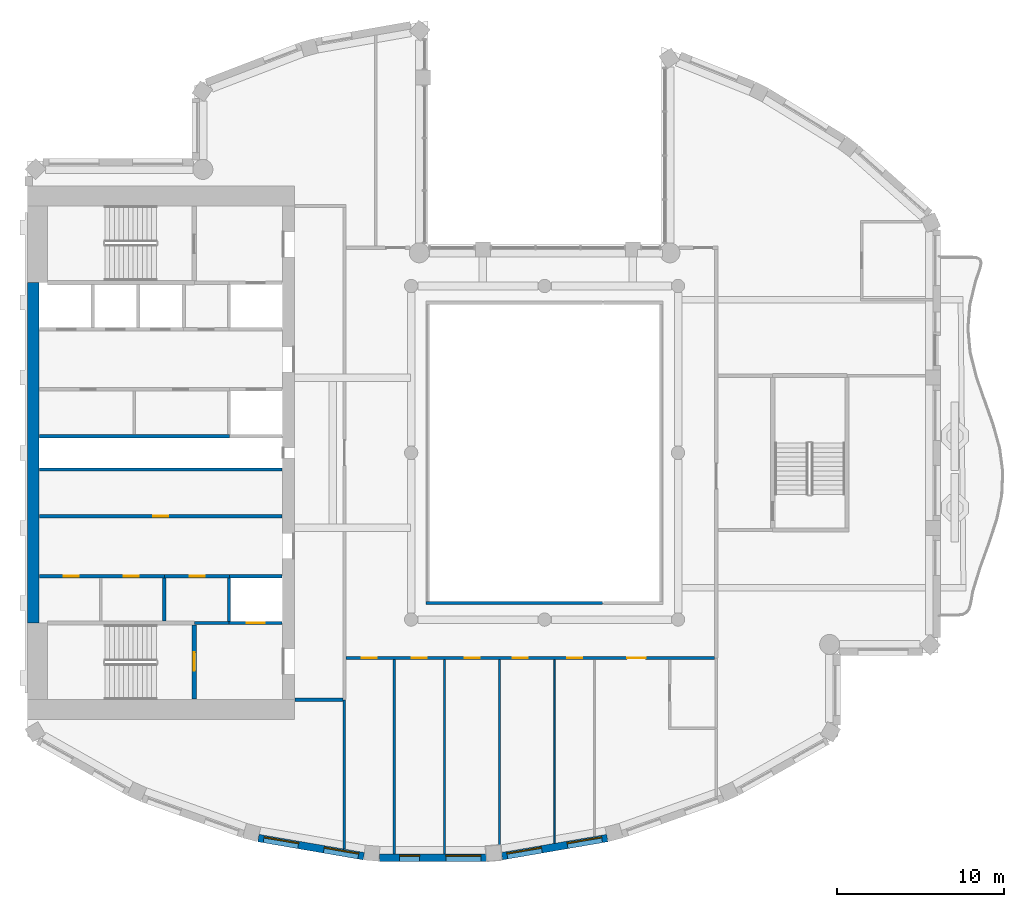
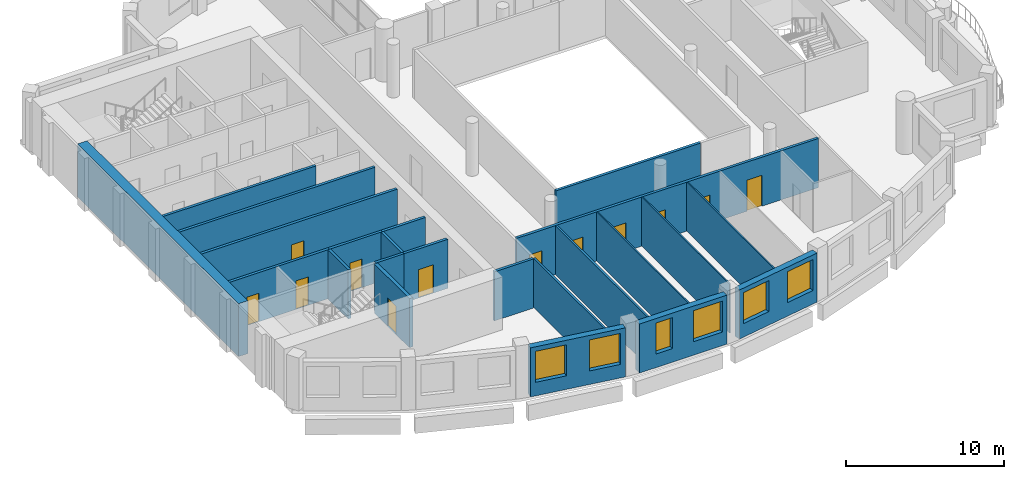
# One storey, part 5 of 15: 23 walls, 12 doors, 6 windows, 18 openings.
"""IFC4 building model written with IfcOpenShell, lengths in metres."""

import ifcopenshell
import ifcopenshell.guid

model = None  # the IFC model being written
_history = None  # IfcOwnerHistory: only IFC2X3 demands one
_inside = {}  # id of a spatial element -> (the spatial element, [elements in it])
_under = {}  # id of a project, library or spatial element -> (it, [spatial elements below it])
_declared = {}  # id of a project -> (the project, [libraries it declares])
_typed = {}  # id of a type object -> (the type object, [elements of that type])
_made_of = {}  # id of a material, layer set ... -> (it, [elements and type objects made of it])


def new_model(schema):
    """Start an empty IFC model of exactly this schema.

    Asked for "IFC4X3", IfcOpenShell would pick the latest addendum, in which some entities
    have other attributes; the version numbers below select the first issue.
    IFC2X3 requires an IfcOwnerHistory on every rooted entity: one is made here for all.
    """
    global model, _history
    if schema == "IFC4X3":
        model = ifcopenshell.file(schema_version=(4, 3, 0, 0))
    else:
        model = ifcopenshell.file(schema=schema)
    _inside.clear()
    _under.clear()
    _declared.clear()
    _typed.clear()
    _made_of.clear()
    _history = None
    if model.schema == "IFC2X3":
        org = make("IfcOrganization", Name="unknown")
        user = make(
            "IfcPersonAndOrganization",
            ThePerson=make("IfcPerson", FamilyName="unknown"),
            TheOrganization=org,
        )
        app = make(
            "IfcApplication",
            ApplicationDeveloper=org,
            Version="unknown",
            ApplicationFullName="unknown",
            ApplicationIdentifier="unknown",
        )
        _history = make(
            "IfcOwnerHistory",
            OwningUser=user,
            OwningApplication=app,
            ChangeAction="ADDED",
            CreationDate=0,
        )
    return model


def make(cls, **values):
    """One entity of the class cls with the attributes given. An attribute that is None is left unset."""
    return model.create_entity(
        cls, **{name: value for name, value in values.items() if value is not None}
    )


def rooted(cls, **values):
    """An entity with a GlobalId (a new one), such as an element, a storey or a relation."""
    return make(cls, GlobalId=ifcopenshell.guid.new(), OwnerHistory=_history, **values)


def si_unit(unit_type, name, prefix=None):
    """IfcSIUnit, for example si_unit("LENGTHUNIT", "METRE", prefix="MILLI")."""
    return make("IfcSIUnit", UnitType=unit_type, Prefix=prefix, Name=name)


def assignment(units):
    """IfcUnitAssignment: the units of a project."""
    return None if units is None else make("IfcUnitAssignment", Units=units)


def point(xyz):
    """IfcCartesianPoint."""
    return None if xyz is None else make("IfcCartesianPoint", Coordinates=xyz)


def direction(xyz):
    """IfcDirection."""
    return None if xyz is None else make("IfcDirection", DirectionRatios=xyz)


def frame(location, z_axis=None, x_axis=None):
    """IfcAxis2Placement3D, a coordinate frame: its origin and axes. An axis left out is left unset."""
    return make(
        "IfcAxis2Placement3D",
        Location=point(location),
        Axis=direction(z_axis),
        RefDirection=direction(x_axis),
    )


def frame_2d(location, x_axis=None):
    """IfcAxis2Placement2D, a coordinate frame in the plane: its origin and x axis."""
    return make(
        "IfcAxis2Placement2D", Location=point(location), RefDirection=direction(x_axis)
    )


def origin():
    """The frame at (0, 0, 0) with its axes left unset."""
    return frame((0.0, 0.0, 0.0))


def place(relative_to, where):
    """IfcLocalPlacement: puts the frame where relative to a parent placement (None: the world)."""
    return make(
        "IfcLocalPlacement", PlacementRelTo=relative_to, RelativePlacement=where
    )


def context(
    kind, dimensions, precision=None, world=None, true_north=None, identifier=None
):
    """IfcGeometricRepresentationContext, for example the 3D "Model" context."""
    return make(
        "IfcGeometricRepresentationContext",
        ContextIdentifier=identifier,
        ContextType=kind,
        CoordinateSpaceDimension=dimensions,
        Precision=precision,
        WorldCoordinateSystem=world,
        TrueNorth=true_north,
    )


def subcontext(parent, identifier, kind, view, scale=None):
    """IfcGeometricRepresentationSubContext, for example "Body" below "Model"."""
    return make(
        "IfcGeometricRepresentationSubContext",
        ContextIdentifier=identifier,
        ContextType=kind,
        ParentContext=parent,
        TargetScale=scale,
        TargetView=view,
    )


def project(units=None, contexts=None):
    """IfcProject with its units and contexts."""
    return rooted(
        "IfcProject",
        Name="project",
        RepresentationContexts=contexts,
        UnitsInContext=assignment(units),
    )


def spatial(cls, under=None, at=None, **own):
    """A site, building, storey or space (cls), placed at a placement, below another one or the project."""
    s = rooted(cls, ObjectPlacement=at, **own)
    if under is not None:
        _under.setdefault(under.id(), (under, []))[1].append(s)
    return s


def profile(cls, at=None, kind="AREA", **sizes):
    """A parametric profile (cls). Its sizes go by their IFC names, for example OverallWidth=200.0."""
    return make(cls, ProfileType=kind, Position=at, **sizes)


def rectangle(**sizes):
    """IfcRectangleProfileDef."""
    return profile("IfcRectangleProfileDef", **sizes)


def extrude(swept, where, along, depth):
    """IfcExtrudedAreaSolid: the profile swept, set in the frame where, extruded along a direction by depth."""
    return make(
        "IfcExtrudedAreaSolid",
        SweptArea=swept,
        Position=where,
        ExtrudedDirection=direction(along),
        Depth=depth,
    )


def shape(context_of_items, identifier, shape_type, items):
    """IfcShapeRepresentation: the items that make up one representation, for example the "Body"."""
    return make(
        "IfcShapeRepresentation",
        ContextOfItems=context_of_items,
        RepresentationIdentifier=identifier,
        RepresentationType=shape_type,
        Items=items,
    )


def material(Name=None, Category=None):
    """IfcMaterial."""
    return make("IfcMaterial", Name=Name, Category=Category)


def layer(
    of_material, thickness, ventilated=None, Name=None, Category=None, Priority=None
):
    """IfcMaterialLayer: one layer of a wall or slab, of a material (None: an air gap)."""
    return make(
        "IfcMaterialLayer",
        Material=of_material,
        LayerThickness=thickness,
        IsVentilated=ventilated,
        Name=Name,
        Category=Category,
        Priority=Priority,
    )


def layer_set(layers, Name=None):
    """IfcMaterialLayerSet."""
    return make("IfcMaterialLayerSet", MaterialLayers=layers, LayerSetName=Name)


def made_of(thing, what):
    """Note that an element or type object is made of a material, layer set ...; save() writes the relation."""
    if what is not None:
        _made_of.setdefault(what.id(), (what, []))[1].append(thing)
    return thing


def type_object(cls, material=None, **own):
    """A type object (cls), such as IfcWallType, which elements share."""
    return made_of(rooted(cls, **own), material)


def element(
    cls,
    number,
    at=None,
    inside=None,
    cuts=None,
    type_object=None,
    material=None,
    context=None,
    identifier="Body",
    shape_type=None,
    held_by="IfcProductDefinitionShape",
    body=None,
    shapes=None,
    **own,
):
    """One element of the class cls, such as IfcWall. Its Tag is "e" and its number.

    at: its placement. inside: the storey or other place that contains it. cuts: it is an
    opening in that element (IfcRelVoidsElement). A single representation is given by context,
    identifier, shape_type and body (its items); several are given by shapes. held_by: the class
    of the entity that holds the representations. save() writes the other relations.
    """
    e = rooted(cls, Tag="e%d" % number, ObjectPlacement=at, **own)
    if body is not None:
        shapes = [shape(context, identifier, shape_type, body)]
    if shapes is not None:
        e.Representation = make(held_by, Representations=shapes)
    if inside is not None:
        _inside.setdefault(inside.id(), (inside, []))[1].append(e)
    if cuts is not None:
        rooted(
            "IfcRelVoidsElement", RelatingBuildingElement=cuts, RelatedOpeningElement=e
        )
    if type_object is not None:
        _typed.setdefault(type_object.id(), (type_object, []))[1].append(e)
    return made_of(e, material)


def fill(opening, filler):
    """IfcRelFillsElement: the door or window that sits in an opening."""
    return rooted(
        "IfcRelFillsElement",
        RelatingOpeningElement=opening,
        RelatedBuildingElement=filler,
    )


def aggregate(whole, parts):
    """IfcRelAggregates: a whole, such as a stair, and the parts it consists of."""
    return rooted("IfcRelAggregates", RelatingObject=whole, RelatedObjects=parts)


def save(model, path):
    """Write the relations noted so far, then the file.

    IfcRelAggregates (storeys below a building ...), IfcRelContainedInSpatialStructure (elements
    in a storey), IfcRelDefinesByType, IfcRelAssociatesMaterial and IfcRelDeclares: one each for
    every whole, place, type object, material and project.
    """
    for whole, parts in _under.values():
        aggregate(whole, parts)
    for where, things in _inside.values():
        rooted(
            "IfcRelContainedInSpatialStructure",
            RelatedElements=things,
            RelatingStructure=where,
        )
    for kind, things in _typed.values():
        rooted("IfcRelDefinesByType", RelatedObjects=things, RelatingType=kind)
    for what, things in _made_of.values():
        rooted("IfcRelAssociatesMaterial", RelatedObjects=things, RelatingMaterial=what)
    for by, libraries in _declared.values():
        rooted("IfcRelDeclares", RelatingContext=by, RelatedDefinitions=libraries)
    model.write(path)


model = new_model("IFC4")

# Units and contexts
model_context = context("Model", 3, precision=1e-05, world=origin(), true_north=direction((0.0, 1.0)))
body_context = subcontext(model_context, "Body", "Model", "MODEL_VIEW")
ifc_project = project(units=[si_unit("LENGTHUNIT", "METRE"), si_unit("AREAUNIT", "SQUARE_METRE"), si_unit("VOLUMEUNIT", "CUBIC_METRE"), si_unit("PLANEANGLEUNIT", "RADIAN"), si_unit("MASSUNIT", "GRAM", prefix="KILO")], contexts=[model_context])

# Site, building, storey
site_placement = place(None, origin())
site = spatial("IfcSite", under=ifc_project, at=site_placement, CompositionType="ELEMENT")
building_placement = place(site_placement, origin())
building = spatial("IfcBuilding", under=site, at=building_placement, Name="Cypress Arch Tower", CompositionType="ELEMENT")
storey_placement = place(building_placement, frame((0.0, 0.0, 309.0)))
storey = spatial("IfcBuildingStorey", under=building, at=storey_placement, Name="L70", CompositionType="ELEMENT", Elevation=309.0)

# Wall, openings, windows
ifc_material_1 = material(Name="Brick (red buff blend)", Category="masonry")
ifc_layer_1 = layer(ifc_material_1, 0.449951171875)
ifc_layer_set_1 = layer_set([ifc_layer_1], Name="Brick pier and spandrel wall BW450")
wall_type_1 = type_object("IfcWallType", Name="Brick pier and spandrel wall BW450", PredefinedType="SOLIDWALL", material=ifc_layer_set_1)
wall_1_placement = place(storey_placement, frame((-16.15673828125, -23.09716796875, 0.0), z_axis=(0.0, 0.0, 1.0), x_axis=(0.985502073964, -0.169663379113, 0.0)))
wall_1 = element("IfcWall", 1, at=wall_1_placement, inside=storey, type_object=wall_type_1, Name="Brick wall L70 C10.0", PredefinedType="SOLIDWALL", context=body_context, shape_type="SweptSolid", body=[
    extrude(rectangle(XDim=6.412109375, YDim=0.449951171875, at=frame_2d((3.2060546875, 0.0))), origin(), (0.0, 0.0, 1.0), 3.800048828125),
])
opening_1_placement = place(wall_1_placement, frame((0.3271484375, 0.0, 1.050048828125)))
opening_1 = element("IfcOpeningElement", 2, at=opening_1_placement, cuts=wall_1, Name="Opening W210O", PredefinedType="OPENING", context=body_context, shape_type="SweptSolid", body=[
    extrude(rectangle(XDim=2.10009765625, YDim=2.39990234375, at=frame_2d((1.050048828125, 1.199951171875))), frame((0.0, 0.23486328125, 0.0), z_axis=(0.0, -1.0, 0.0), x_axis=(1.0, 0.0, 0.0)), (0.0, 0.0, 1.0), 0.469970703125),
])
opening_2_placement = place(wall_1_placement, frame((3.98486328125, 0.0, 1.050048828125)))
opening_2 = element("IfcOpeningElement", 3, at=opening_2_placement, cuts=wall_1, Name="Opening W210O", PredefinedType="OPENING", context=body_context, shape_type="SweptSolid", body=[
    extrude(rectangle(XDim=2.10009765625, YDim=2.39990234375, at=frame_2d((1.050048828125, 1.199951171875))), frame((0.0, 0.23486328125, 0.0), z_axis=(0.0, -1.0, 0.0), x_axis=(1.0, 0.0, 0.0)), (0.0, 0.0, 1.0), 0.469970703125),
])
ifc_material_2 = material(Name="Anodised aluminium, bronze finish, clear low-emissivity double glazing", Category="aluminium")
window_type_1 = type_object("IfcWindowType", Name="Window Office 2100x2400", PartitioningType="SINGLE_PANEL", PredefinedType="WINDOW", material=ifc_material_2)
window_1_placement = place(opening_1_placement, origin())
window_1 = element("IfcWindow", 4, at=window_1_placement, inside=storey, type_object=window_type_1, Name="Window L70 C10.0.1", OverallHeight=2.39990234375, OverallWidth=2.10009765625, PartitioningType="SINGLE_PANEL", PredefinedType="WINDOW", context=body_context, shape_type="SweptSolid", body=[
    extrude(rectangle(XDim=2.10009765625, YDim=2.39990234375, at=frame_2d((1.050048828125, 1.199951171875))), frame((0.0, 0.135009765625, 0.0), z_axis=(0.0, -1.0, 0.0), x_axis=(1.0, 0.0, 0.0)), (0.0, 0.0, 1.0), 0.06005859375),
])
fill(opening_1, window_1)
window_2_placement = place(opening_2_placement, origin())
window_2 = element("IfcWindow", 5, at=window_2_placement, inside=storey, type_object=window_type_1, Name="Window L70 C10.0.2", OverallHeight=2.39990234375, OverallWidth=2.10009765625, PartitioningType="SINGLE_PANEL", PredefinedType="WINDOW", context=body_context, shape_type="SweptSolid", body=[
    extrude(rectangle(XDim=2.10009765625, YDim=2.39990234375, at=frame_2d((1.050048828125, 1.199951171875))), frame((0.0, 0.135009765625, 0.0), z_axis=(0.0, -1.0, 0.0), x_axis=(1.0, 0.0, 0.0)), (0.0, 0.0, 1.0), 0.06005859375),
])
fill(opening_2, window_2)

wall_2_placement = place(storey_placement, frame((-8.90283203125, -24.264892578125, 0.0), z_axis=(0.0, 0.0, 1.0), x_axis=(1.0, 0.0, 0.0)))
wall_2 = element("IfcWall", 6, at=wall_2_placement, inside=storey, type_object=wall_type_1, Name="Brick wall L70 C11.0", PredefinedType="SOLIDWALL", context=body_context, shape_type="SweptSolid", body=[
    extrude(rectangle(XDim=6.405517578125, YDim=0.449951171875, at=frame_2d((3.20263671875, 0.0))), origin(), (0.0, 0.0, 1.0), 3.800048828125),
])
opening_3_placement = place(wall_2_placement, frame((3.97998046875, 0.0, 1.050048828125)))
opening_3 = element("IfcOpeningElement", 7, at=opening_3_placement, cuts=wall_2, Name="Opening W210O", PredefinedType="OPENING", context=body_context, shape_type="SweptSolid", body=[
    extrude(rectangle(XDim=2.10009765625, YDim=2.39990234375, at=frame_2d((1.050048828125, 1.199951171875))), frame((0.0, 0.23486328125, 0.0), z_axis=(0.0, -1.0, 0.0), x_axis=(1.0, 0.0, 0.0)), (0.0, 0.0, 1.0), 0.469970703125),
])
opening_4_placement = place(wall_2_placement, frame((1.214111328125, 0.0, 1.050048828125)))
opening_4 = element("IfcOpeningElement", 8, at=opening_4_placement, cuts=wall_2, Name="Opening W120O", PredefinedType="OPENING", context=body_context, shape_type="SweptSolid", body=[
    extrude(rectangle(XDim=1.199951171875, YDim=2.39990234375, at=frame_2d((0.60009765625, 1.199951171875))), frame((0.0, 0.23486328125, 0.0), z_axis=(0.0, -1.0, 0.0), x_axis=(1.0, 0.0, 0.0)), (0.0, 0.0, 1.0), 0.469970703125),
])
ifc_material_3 = material(Name="Anodised aluminium, bronze finish, clear low-emissivity double glazing", Category="aluminium")
window_type_2 = type_object("IfcWindowType", Name="Window Office 1200x2400", PartitioningType="SINGLE_PANEL", PredefinedType="WINDOW", material=ifc_material_3)
window_3_placement = place(opening_4_placement, origin())
window_3 = element("IfcWindow", 9, at=window_3_placement, inside=storey, type_object=window_type_2, Name="Window L70 C11.0.1", OverallHeight=2.39990234375, OverallWidth=1.199951171875, PartitioningType="SINGLE_PANEL", PredefinedType="WINDOW", context=body_context, shape_type="SweptSolid", body=[
    extrude(rectangle(XDim=1.199951171875, YDim=2.39990234375, at=frame_2d((0.60009765625, 1.199951171875))), frame((0.0, 0.135009765625, 0.0), z_axis=(0.0, -1.0, 0.0), x_axis=(1.0, 0.0, 0.0)), (0.0, 0.0, 1.0), 0.06005859375),
])
fill(opening_4, window_3)
window_4_placement = place(opening_3_placement, origin())
window_4 = element("IfcWindow", 10, at=window_4_placement, inside=storey, type_object=window_type_1, Name="Window L70 C11.0.2", OverallHeight=2.39990234375, OverallWidth=2.10009765625, PartitioningType="SINGLE_PANEL", PredefinedType="WINDOW", context=body_context, shape_type="SweptSolid", body=[
    extrude(rectangle(XDim=2.10009765625, YDim=2.39990234375, at=frame_2d((1.050048828125, 1.199951171875))), frame((0.0, 0.135009765625, 0.0), z_axis=(0.0, -1.0, 0.0), x_axis=(1.0, 0.0, 0.0)), (0.0, 0.0, 1.0), 0.06005859375),
])
fill(opening_3, window_4)

wall_3_placement = place(storey_placement, frame((-1.562255859375, -24.18505859375, 0.0), z_axis=(0.0, 0.0, 1.0), x_axis=(0.985502073964, 0.169663379113, 0.0)))
wall_3 = element("IfcWall", 11, at=wall_3_placement, inside=storey, type_object=wall_type_1, Name="Brick wall L70 C12.0", PredefinedType="SOLIDWALL", context=body_context, shape_type="SweptSolid", body=[
    extrude(rectangle(XDim=6.412109375, YDim=0.449951171875, at=frame_2d((3.2060546875, 0.0))), origin(), (0.0, 0.0, 1.0), 3.800048828125),
])
opening_5_placement = place(wall_3_placement, frame((0.3271484375, 0.0, 1.050048828125)))
opening_5 = element("IfcOpeningElement", 12, at=opening_5_placement, cuts=wall_3, Name="Opening W210O", PredefinedType="OPENING", context=body_context, shape_type="SweptSolid", body=[
    extrude(rectangle(XDim=2.10009765625, YDim=2.39990234375, at=frame_2d((1.050048828125, 1.199951171875))), frame((0.0, 0.23486328125, 0.0), z_axis=(0.0, -1.0, 0.0), x_axis=(1.0, 0.0, 0.0)), (0.0, 0.0, 1.0), 0.469970703125),
])
opening_6_placement = place(wall_3_placement, frame((3.98486328125, 0.0, 1.050048828125)))
opening_6 = element("IfcOpeningElement", 13, at=opening_6_placement, cuts=wall_3, Name="Opening W210O", PredefinedType="OPENING", context=body_context, shape_type="SweptSolid", body=[
    extrude(rectangle(XDim=2.10009765625, YDim=2.39990234375, at=frame_2d((1.050048828125, 1.199951171875))), frame((0.0, 0.23486328125, 0.0), z_axis=(0.0, -1.0, 0.0), x_axis=(1.0, 0.0, 0.0)), (0.0, 0.0, 1.0), 0.469970703125),
])
window_5_placement = place(opening_5_placement, origin())
window_5 = element("IfcWindow", 14, at=window_5_placement, inside=storey, type_object=window_type_1, Name="Window L70 C12.0.1", OverallHeight=2.39990234375, OverallWidth=2.10009765625, PartitioningType="SINGLE_PANEL", PredefinedType="WINDOW", context=body_context, shape_type="SweptSolid", body=[
    extrude(rectangle(XDim=2.10009765625, YDim=2.39990234375, at=frame_2d((1.050048828125, 1.199951171875))), frame((0.0, 0.135009765625, 0.0), z_axis=(0.0, -1.0, 0.0), x_axis=(1.0, 0.0, 0.0)), (0.0, 0.0, 1.0), 0.06005859375),
])
fill(opening_5, window_5)
window_6_placement = place(opening_6_placement, origin())
window_6 = element("IfcWindow", 15, at=window_6_placement, inside=storey, type_object=window_type_1, Name="Window L70 C12.0.2", OverallHeight=2.39990234375, OverallWidth=2.10009765625, PartitioningType="SINGLE_PANEL", PredefinedType="WINDOW", context=body_context, shape_type="SweptSolid", body=[
    extrude(rectangle(XDim=2.10009765625, YDim=2.39990234375, at=frame_2d((1.050048828125, 1.199951171875))), frame((0.0, 0.135009765625, 0.0), z_axis=(0.0, -1.0, 0.0), x_axis=(1.0, 0.0, 0.0)), (0.0, 0.0, 1.0), 0.06005859375),
])
fill(opening_6, window_6)

# Wall
ifc_material_4 = material(Name="Concrete C60/75", Category="concrete")
ifc_layer_2 = layer(ifc_material_4, 0.699951171875)
ifc_layer_set_2 = layer_set([ifc_layer_2], Name="Core wall CW700 C60/75")
wall_type_2 = type_object("IfcWallType", Name="Core wall CW700 C60/75", PredefinedType="SHEAR", material=ifc_layer_set_2)
wall_4_placement = place(storey_placement, frame((-29.64990234375, -10.199951171875, 0.0), z_axis=(0.0, 0.0, 1.0), x_axis=(0.0, 1.0, 0.0)))
element("IfcWall", 16, at=wall_4_placement, inside=storey, type_object=wall_type_2, Name="Core wall", PredefinedType="SHEAR", context=body_context, shape_type="SweptSolid", body=[
    extrude(rectangle(XDim=20.39990234375, YDim=0.699951171875, at=frame_2d((10.199951171875, 0.0))), origin(), (0.0, 0.0, 1.0), 4.10009765625),
])

# Wall, openings, doors
ifc_material_5 = material(Name="Concrete blockwork, plastered, rated", Category="masonry")
ifc_layer_3 = layer(ifc_material_5, 0.199951171875)
ifc_layer_set_3 = layer_set([ifc_layer_3], Name="Corridor wall FW200")
wall_type_3 = type_object("IfcWallType", Name="Corridor wall FW200", PredefinedType="PARTITIONING", material=ifc_layer_set_3)
wall_5_placement = place(storey_placement, frame((-29.27001953125, -7.39990234375, 0.0), z_axis=(0.0, 0.0, 1.0), x_axis=(1.0, 0.0, 0.0)))
wall_5 = element("IfcWall", 17, at=wall_5_placement, inside=storey, type_object=wall_type_3, Name="Corridor wall", PredefinedType="PARTITIONING", context=body_context, shape_type="SweptSolid", body=[
    extrude(rectangle(XDim=7.489990234375, YDim=0.199951171875, at=frame_2d((3.7451171875, 0.0))), origin(), (0.0, 0.0, 1.0), 3.800048828125),
])
opening_7_placement = place(wall_5_placement, frame((1.449951171875, 0.0, 0.0)))
opening_7 = element("IfcOpeningElement", 18, at=opening_7_placement, cuts=wall_5, Name="Opening D05", PredefinedType="OPENING", context=body_context, shape_type="SweptSolid", body=[
    extrude(rectangle(XDim=0.89990234375, YDim=2.199951171875, at=frame_2d((0.449951171875, 1.10009765625))), frame((0.0, 0.10986328125, 0.0), z_axis=(0.0, -1.0, 0.0), x_axis=(1.0, 0.0, 0.0)), (0.0, 0.0, 1.0), 0.219970703125),
])
opening_8_placement = place(wall_5_placement, frame((5.050048828125, 0.0, 0.0)))
opening_8 = element("IfcOpeningElement", 19, at=opening_8_placement, cuts=wall_5, Name="Opening D05", PredefinedType="OPENING", context=body_context, shape_type="SweptSolid", body=[
    extrude(rectangle(XDim=0.89990234375, YDim=2.199951171875, at=frame_2d((0.449951171875, 1.10009765625))), frame((0.0, 0.10986328125, 0.0), z_axis=(0.0, -1.0, 0.0), x_axis=(1.0, 0.0, 0.0)), (0.0, 0.0, 1.0), 0.219970703125),
])
ifc_material_6 = material(Name="Timber flush door", Category="wood")
door_type_1 = type_object("IfcDoorType", Name="Service door D05 900x2200", OperationType="SINGLE_SWING_LEFT", PredefinedType="DOOR", material=ifc_material_6)
door_1_placement = place(opening_7_placement, origin())
door_1 = element("IfcDoor", 20, at=door_1_placement, inside=storey, type_object=door_type_1, Name="Service door", OperationType="SINGLE_SWING_LEFT", OverallHeight=2.199951171875, OverallWidth=0.89990234375, PredefinedType="DOOR", context=body_context, shape_type="SweptSolid", body=[
    extrude(rectangle(XDim=0.89990234375, YDim=2.199951171875, at=frame_2d((0.449951171875, 1.10009765625))), frame((0.0, 0.02490234375, 0.0), z_axis=(0.0, -1.0, 0.0), x_axis=(1.0, 0.0, 0.0)), (0.0, 0.0, 1.0), 0.050048828125),
])
fill(opening_7, door_1)
door_2_placement = place(opening_8_placement, origin())
door_2 = element("IfcDoor", 21, at=door_2_placement, inside=storey, type_object=door_type_1, Name="Service door", OperationType="SINGLE_SWING_RIGHT", OverallHeight=2.199951171875, OverallWidth=0.89990234375, PredefinedType="DOOR", context=body_context, shape_type="SweptSolid", body=[
    extrude(rectangle(XDim=0.89990234375, YDim=2.199951171875, at=frame_2d((0.449951171875, 1.10009765625))), frame((0.0, 0.02490234375, 0.0), z_axis=(0.0, -1.0, 0.0), x_axis=(1.0, 0.0, 0.0)), (0.0, 0.0, 1.0), 0.050048828125),
])
fill(opening_8, door_2)

# Wall, opening, door
wall_6_placement = place(storey_placement, frame((-29.27001953125, -3.800048828125, 0.0), z_axis=(0.0, 0.0, 1.0), x_axis=(1.0, 0.0, 0.0)))
wall_6 = element("IfcWall", 22, at=wall_6_placement, inside=storey, type_object=wall_type_3, Name="Corridor wall", PredefinedType="PARTITIONING", context=body_context, shape_type="SweptSolid", body=[
    extrude(rectangle(XDim=14.5400390625, YDim=0.199951171875, at=frame_2d((7.27001953125, 0.0))), origin(), (0.0, 0.0, 1.0), 3.800048828125),
])
opening_9_placement = place(wall_6_placement, frame((6.800048828125, 0.0, 0.0)))
opening_9 = element("IfcOpeningElement", 23, at=opening_9_placement, cuts=wall_6, Name="Opening D05", PredefinedType="OPENING", context=body_context, shape_type="SweptSolid", body=[
    extrude(rectangle(XDim=0.89990234375, YDim=2.199951171875, at=frame_2d((0.449951171875, 1.10009765625))), frame((0.0, 0.10986328125, 0.0), z_axis=(0.0, -1.0, 0.0), x_axis=(1.0, 0.0, 0.0)), (0.0, 0.0, 1.0), 0.219970703125),
])
door_3_placement = place(opening_9_placement, origin())
door_3 = element("IfcDoor", 24, at=door_3_placement, inside=storey, type_object=door_type_1, Name="Service door", OperationType="SINGLE_SWING_LEFT", OverallHeight=2.199951171875, OverallWidth=0.89990234375, PredefinedType="DOOR", context=body_context, shape_type="SweptSolid", body=[
    extrude(rectangle(XDim=0.89990234375, YDim=2.199951171875, at=frame_2d((0.449951171875, 1.10009765625))), frame((0.0, 0.02490234375, 0.0), z_axis=(0.0, -1.0, 0.0), x_axis=(1.0, 0.0, 0.0)), (0.0, 0.0, 1.0), 0.050048828125),
])
fill(opening_9, door_3)

# Wall
wall_7_placement = place(storey_placement, frame((-13.969970703125, -14.800048828125, 0.0), z_axis=(0.0, 0.0, 1.0), x_axis=(1.0, 0.0, 0.0)))
element("IfcWall", 25, at=wall_7_placement, inside=storey, type_object=wall_type_3, Name="Corridor wall", PredefinedType="PARTITIONING", context=body_context, shape_type="SweptSolid", body=[
    extrude(rectangle(XDim=2.869873046875, YDim=0.199951171875, at=frame_2d((1.43505859375, 0.0))), origin(), (0.0, 0.0, 1.0), 3.800048828125),
])

# Wall, openings, doors
wall_8_placement = place(storey_placement, frame((-10.89990234375, -12.300048828125, 0.0), z_axis=(0.0, 0.0, 1.0), x_axis=(1.0, 0.0, 0.0)))
wall_8 = element("IfcWall", 26, at=wall_8_placement, inside=storey, type_object=wall_type_3, Name="Corridor wall", PredefinedType="PARTITIONING", context=body_context, shape_type="SweptSolid", body=[
    extrude(rectangle(XDim=22.099853515625, YDim=0.199951171875, at=frame_2d((11.0498046875, 0.0))), origin(), (0.0, 0.0, 1.0), 3.800048828125),
])
opening_10_placement = place(wall_8_placement, frame((0.949951171875, 0.0, 0.0)))
opening_10 = element("IfcOpeningElement", 27, at=opening_10_placement, cuts=wall_8, Name="Opening D05", PredefinedType="OPENING", context=body_context, shape_type="SweptSolid", body=[
    extrude(rectangle(XDim=0.89990234375, YDim=2.199951171875, at=frame_2d((0.449951171875, 1.10009765625))), frame((0.0, 0.10986328125, 0.0), z_axis=(0.0, -1.0, 0.0), x_axis=(1.0, 0.0, 0.0)), (0.0, 0.0, 1.0), 0.219970703125),
])
opening_11_placement = place(wall_8_placement, frame((3.949951171875, 0.0, 0.0)))
opening_11 = element("IfcOpeningElement", 28, at=opening_11_placement, cuts=wall_8, Name="Opening D05", PredefinedType="OPENING", context=body_context, shape_type="SweptSolid", body=[
    extrude(rectangle(XDim=0.89990234375, YDim=2.199951171875, at=frame_2d((0.449951171875, 1.10009765625))), frame((0.0, 0.10986328125, 0.0), z_axis=(0.0, -1.0, 0.0), x_axis=(1.0, 0.0, 0.0)), (0.0, 0.0, 1.0), 0.219970703125),
])
opening_12_placement = place(wall_8_placement, frame((7.10009765625, 0.0, 0.0)))
opening_12 = element("IfcOpeningElement", 29, at=opening_12_placement, cuts=wall_8, Name="Opening D03", PredefinedType="OPENING", context=body_context, shape_type="SweptSolid", body=[
    extrude(rectangle(XDim=0.89990234375, YDim=2.199951171875, at=frame_2d((0.449951171875, 1.10009765625))), frame((0.0, 0.10986328125, 0.0), z_axis=(0.0, -1.0, 0.0), x_axis=(1.0, 0.0, 0.0)), (0.0, 0.0, 1.0), 0.219970703125),
])
opening_13_placement = place(wall_8_placement, frame((10.0, 0.0, 0.0)))
opening_13 = element("IfcOpeningElement", 30, at=opening_13_placement, cuts=wall_8, Name="Opening D03", PredefinedType="OPENING", context=body_context, shape_type="SweptSolid", body=[
    extrude(rectangle(XDim=0.89990234375, YDim=2.199951171875, at=frame_2d((0.449951171875, 1.10009765625))), frame((0.0, 0.10986328125, 0.0), z_axis=(0.0, -1.0, 0.0), x_axis=(1.0, 0.0, 0.0)), (0.0, 0.0, 1.0), 0.219970703125),
])
opening_14_placement = place(wall_8_placement, frame((13.25, 0.0, 0.0)))
opening_14 = element("IfcOpeningElement", 31, at=opening_14_placement, cuts=wall_8, Name="Opening D03", PredefinedType="OPENING", context=body_context, shape_type="SweptSolid", body=[
    extrude(rectangle(XDim=0.89990234375, YDim=2.199951171875, at=frame_2d((0.449951171875, 1.10009765625))), frame((0.0, 0.10986328125, 0.0), z_axis=(0.0, -1.0, 0.0), x_axis=(1.0, 0.0, 0.0)), (0.0, 0.0, 1.0), 0.219970703125),
])
opening_15_placement = place(wall_8_placement, frame((16.85009765625, 0.0, 0.0)))
opening_15 = element("IfcOpeningElement", 32, at=opening_15_placement, cuts=wall_8, Name="Opening D01", PredefinedType="OPENING", context=body_context, shape_type="SweptSolid", body=[
    extrude(rectangle(XDim=1.10009765625, YDim=2.39990234375, at=frame_2d((0.550048828125, 1.199951171875))), frame((0.0, 0.10986328125, 0.0), z_axis=(0.0, -1.0, 0.0), x_axis=(1.0, 0.0, 0.0)), (0.0, 0.0, 1.0), 0.219970703125),
])
ifc_material_7 = material(Name="Timber flush door, moisture resistant", Category="wood")
door_type_2 = type_object("IfcDoorType", Name="Bathroom door D03 900x2200", OperationType="SINGLE_SWING_LEFT", PredefinedType="DOOR", material=ifc_material_7)
door_4_placement = place(opening_12_placement, origin())
door_4 = element("IfcDoor", 33, at=door_4_placement, inside=storey, type_object=door_type_2, Name="Bathroom door", OperationType="SINGLE_SWING_RIGHT", OverallHeight=2.199951171875, OverallWidth=0.89990234375, PredefinedType="DOOR", context=body_context, shape_type="SweptSolid", body=[
    extrude(rectangle(XDim=0.89990234375, YDim=2.199951171875, at=frame_2d((0.449951171875, 1.10009765625))), frame((0.0, 0.02490234375, 0.0), z_axis=(0.0, -1.0, 0.0), x_axis=(1.0, 0.0, 0.0)), (0.0, 0.0, 1.0), 0.050048828125),
])
fill(opening_12, door_4)
door_5_placement = place(opening_13_placement, origin())
door_5 = element("IfcDoor", 34, at=door_5_placement, inside=storey, type_object=door_type_2, Name="Bathroom door", OperationType="SINGLE_SWING_RIGHT", OverallHeight=2.199951171875, OverallWidth=0.89990234375, PredefinedType="DOOR", context=body_context, shape_type="SweptSolid", body=[
    extrude(rectangle(XDim=0.89990234375, YDim=2.199951171875, at=frame_2d((0.449951171875, 1.10009765625))), frame((0.0, 0.02490234375, 0.0), z_axis=(0.0, -1.0, 0.0), x_axis=(1.0, 0.0, 0.0)), (0.0, 0.0, 1.0), 0.050048828125),
])
fill(opening_13, door_5)
door_6_placement = place(opening_14_placement, origin())
door_6 = element("IfcDoor", 35, at=door_6_placement, inside=storey, type_object=door_type_2, Name="Bathroom door", OperationType="SINGLE_SWING_RIGHT", OverallHeight=2.199951171875, OverallWidth=0.89990234375, PredefinedType="DOOR", context=body_context, shape_type="SweptSolid", body=[
    extrude(rectangle(XDim=0.89990234375, YDim=2.199951171875, at=frame_2d((0.449951171875, 1.10009765625))), frame((0.0, 0.02490234375, 0.0), z_axis=(0.0, -1.0, 0.0), x_axis=(1.0, 0.0, 0.0)), (0.0, 0.0, 1.0), 0.050048828125),
])
fill(opening_14, door_6)
door_7_placement = place(opening_10_placement, origin())
door_7 = element("IfcDoor", 36, at=door_7_placement, inside=storey, type_object=door_type_1, Name="Service door", OperationType="SINGLE_SWING_RIGHT", OverallHeight=2.199951171875, OverallWidth=0.89990234375, PredefinedType="DOOR", context=body_context, shape_type="SweptSolid", body=[
    extrude(rectangle(XDim=0.89990234375, YDim=2.199951171875, at=frame_2d((0.449951171875, 1.10009765625))), frame((0.0, 0.02490234375, 0.0), z_axis=(0.0, -1.0, 0.0), x_axis=(1.0, 0.0, 0.0)), (0.0, 0.0, 1.0), 0.050048828125),
])
fill(opening_10, door_7)
door_8_placement = place(opening_11_placement, origin())
door_8 = element("IfcDoor", 37, at=door_8_placement, inside=storey, type_object=door_type_1, Name="Service door", OperationType="SINGLE_SWING_RIGHT", OverallHeight=2.199951171875, OverallWidth=0.89990234375, PredefinedType="DOOR", context=body_context, shape_type="SweptSolid", body=[
    extrude(rectangle(XDim=0.89990234375, YDim=2.199951171875, at=frame_2d((0.449951171875, 1.10009765625))), frame((0.0, 0.02490234375, 0.0), z_axis=(0.0, -1.0, 0.0), x_axis=(1.0, 0.0, 0.0)), (0.0, 0.0, 1.0), 0.050048828125),
])
fill(opening_11, door_8)
ifc_material_8 = material(Name="Timber flush door, fire resisting, self-closing", Category="wood")
door_type_3 = type_object("IfcDoorType", Name="Unit entrance door D01 1100x2400", OperationType="SINGLE_SWING_LEFT", PredefinedType="DOOR", material=ifc_material_8)
door_9_placement = place(opening_15_placement, origin())
door_9 = element("IfcDoor", 38, at=door_9_placement, inside=storey, type_object=door_type_3, Name="Unit entrance door", OperationType="SINGLE_SWING_LEFT", OverallHeight=2.39990234375, OverallWidth=1.10009765625, PredefinedType="DOOR", context=body_context, shape_type="SweptSolid", body=[
    extrude(rectangle(XDim=1.10009765625, YDim=2.39990234375, at=frame_2d((0.550048828125, 1.199951171875))), frame((0.0, 0.02490234375, 0.0), z_axis=(0.0, -1.0, 0.0), x_axis=(1.0, 0.0, 0.0)), (0.0, 0.0, 1.0), 0.050048828125),
])
fill(opening_15, door_9)

# Walls
wall_9_placement = place(storey_placement, frame((-6.10009765625, -9.0, 0.0), z_axis=(0.0, 0.0, 1.0), x_axis=(1.0, 0.0, 0.0)))
element("IfcWall", 39, at=wall_9_placement, inside=storey, type_object=wall_type_3, Name="Corridor wall", PredefinedType="PARTITIONING", context=body_context, shape_type="SweptSolid", body=[
    extrude(rectangle(XDim=10.580078125, YDim=0.199951171875, at=frame_2d((5.2900390625, 0.0))), origin(), (0.0, 0.0, 1.0), 3.800048828125),
])
ifc_material_9 = material(Name="Blockwork, plastered both sides", Category="masonry")
ifc_layer_4 = layer(ifc_material_9, 0.14990234375)
ifc_layer_set_4 = layer_set([ifc_layer_4], Name="Partition PW150")
wall_type_4 = type_object("IfcWallType", Name="Partition PW150", PredefinedType="PARTITIONING", material=ifc_layer_set_4)
wall_10_placement = place(storey_placement, frame((-11.0, -23.756591796875, 0.0), z_axis=(0.0, 0.0, 1.0), x_axis=(0.0, 1.0, 0.0)))
element("IfcWall", 40, at=wall_10_placement, inside=storey, type_object=wall_type_4, Name="Partition", PredefinedType="PARTITIONING", context=body_context, shape_type="SweptSolid", body=[
    extrude(rectangle(XDim=8.9365234375, YDim=0.14990234375, at=frame_2d((4.46826171875, 0.0))), origin(), (0.0, 0.0, 1.0), 3.800048828125),
])
wall_11_placement = place(storey_placement, frame((-8.0, -24.0400390625, 0.0), z_axis=(0.0, 0.0, 1.0), x_axis=(0.0, 1.0, 0.0)))
element("IfcWall", 41, at=wall_11_placement, inside=storey, type_object=wall_type_4, Name="Partition", PredefinedType="PARTITIONING", context=body_context, shape_type="SweptSolid", body=[
    extrude(rectangle(XDim=11.64013671875, YDim=0.14990234375, at=frame_2d((5.820068359375, 0.0))), origin(), (0.0, 0.0, 1.0), 3.800048828125),
])
ifc_material_10 = material(Name="Reinforced blockwork, plastered, rated", Category="masonry")
ifc_layer_5 = layer(ifc_material_10, 0.199951171875)
ifc_layer_set_5 = layer_set([ifc_layer_5], Name="Plant and riser wall PL200")
wall_type_5 = type_object("IfcWallType", Name="Plant and riser wall PL200", PredefinedType="PARTITIONING", material=ifc_layer_set_5)
wall_12_placement = place(storey_placement, frame((-29.27001953125, -1.0, 0.0), z_axis=(0.0, 0.0, 1.0), x_axis=(1.0, 0.0, 0.0)))
element("IfcWall", 42, at=wall_12_placement, inside=storey, type_object=wall_type_5, Name="Plant and riser wall", PredefinedType="PARTITIONING", context=body_context, shape_type="SweptSolid", body=[
    extrude(rectangle(XDim=14.5400390625, YDim=0.199951171875, at=frame_2d((7.27001953125, 0.0))), origin(), (0.0, 0.0, 1.0), 3.800048828125),
])
wall_13_placement = place(storey_placement, frame((-29.27001953125, 1.0, 0.0), z_axis=(0.0, 0.0, 1.0), x_axis=(1.0, 0.0, 0.0)))
element("IfcWall", 43, at=wall_13_placement, inside=storey, type_object=wall_type_5, Name="Plant and riser wall", PredefinedType="PARTITIONING", context=body_context, shape_type="SweptSolid", body=[
    extrude(rectangle(XDim=11.3701171875, YDim=0.199951171875, at=frame_2d((5.68505859375, 0.0))), origin(), (0.0, 0.0, 1.0), 3.800048828125),
])

# Wall, opening, door
wall_14_placement = place(storey_placement, frame((-21.780029296875, -7.39990234375, 0.0), z_axis=(0.0, 0.0, 1.0), x_axis=(1.0, 0.0, 0.0)))
wall_14 = element("IfcWall", 44, at=wall_14_placement, inside=storey, type_object=wall_type_5, Name="Plant and riser wall", PredefinedType="PARTITIONING", context=body_context, shape_type="SweptSolid", body=[
    extrude(rectangle(XDim=3.880126953125, YDim=0.199951171875, at=frame_2d((1.93994140625, 0.0))), origin(), (0.0, 0.0, 1.0), 3.800048828125),
])
opening_16_placement = place(wall_14_placement, frame((1.5, 0.0, 0.0)))
opening_16 = element("IfcOpeningElement", 45, at=opening_16_placement, cuts=wall_14, Name="Opening D05", PredefinedType="OPENING", context=body_context, shape_type="SweptSolid", body=[
    extrude(rectangle(XDim=0.89990234375, YDim=2.199951171875, at=frame_2d((0.449951171875, 1.10009765625))), frame((0.0, 0.10986328125, 0.0), z_axis=(0.0, -1.0, 0.0), x_axis=(1.0, 0.0, 0.0)), (0.0, 0.0, 1.0), 0.219970703125),
])
door_10_placement = place(opening_16_placement, origin())
door_10 = element("IfcDoor", 46, at=door_10_placement, inside=storey, type_object=door_type_1, Name="Service door", OperationType="SINGLE_SWING_LEFT", OverallHeight=2.199951171875, OverallWidth=0.89990234375, PredefinedType="DOOR", context=body_context, shape_type="SweptSolid", body=[
    extrude(rectangle(XDim=0.89990234375, YDim=2.199951171875, at=frame_2d((0.449951171875, 1.10009765625))), frame((0.0, 0.02490234375, 0.0), z_axis=(0.0, -1.0, 0.0), x_axis=(1.0, 0.0, 0.0)), (0.0, 0.0, 1.0), 0.050048828125),
])
fill(opening_16, door_10)

# Walls
wall_15_placement = place(storey_placement, frame((-21.800048828125, -10.074951171875, 0.0), z_axis=(0.0, 0.0, 1.0), x_axis=(0.0, 1.0, 0.0)))
element("IfcWall", 47, at=wall_15_placement, inside=storey, type_object=wall_type_5, Name="Plant and riser wall", PredefinedType="PARTITIONING", context=body_context, shape_type="SweptSolid", body=[
    extrude(rectangle(XDim=2.574951171875, YDim=0.199951171875, at=frame_2d((1.28759765625, 0.0))), origin(), (0.0, 0.0, 1.0), 3.800048828125),
])
wall_16_placement = place(storey_placement, frame((-20.0, -10.199951171875, 0.0), z_axis=(0.0, 0.0, 1.0), x_axis=(1.0, 0.0, 0.0)))
element("IfcWall", 48, at=wall_16_placement, inside=storey, type_object=wall_type_5, Name="Plant and riser wall", PredefinedType="PARTITIONING", context=body_context, shape_type="SweptSolid", body=[
    extrude(rectangle(XDim=2.080078125, YDim=0.199951171875, at=frame_2d((1.0400390625, 0.0))), origin(), (0.0, 0.0, 1.0), 3.800048828125),
])
ifc_material_11 = material(Name="Concrete C50/60", Category="concrete")
ifc_layer_6 = layer(ifc_material_11, 0.199951171875)
ifc_layer_set_6 = layer_set([ifc_layer_6], Name="Shaft wall SH200")
wall_type_6 = type_object("IfcWallType", Name="Shaft wall SH200", PredefinedType="SHEAR", material=ifc_layer_set_6)
wall_17_placement = place(storey_placement, frame((-17.919921875, -10.10009765625, 0.0), z_axis=(0.0, 0.0, 1.0), x_axis=(0.0, 1.0, 0.0)))
element("IfcWall", 49, at=wall_17_placement, inside=storey, type_object=wall_type_6, Name="Shaft wall", PredefinedType="SHEAR", context=body_context, shape_type="SweptSolid", body=[
    extrude(rectangle(XDim=2.60009765625, YDim=0.199951171875, at=frame_2d((1.300048828125, 0.0))), origin(), (0.0, 0.0, 1.0), 3.800048828125),
])

# Wall, opening, door
wall_18_placement = place(storey_placement, frame((-17.919921875, -10.199951171875, 0.0), z_axis=(0.0, 0.0, 1.0), x_axis=(1.0, 0.0, 0.0)))
wall_18 = element("IfcWall", 50, at=wall_18_placement, inside=storey, type_object=wall_type_6, Name="Shaft wall", PredefinedType="SHEAR", context=body_context, shape_type="SweptSolid", body=[
    extrude(rectangle(XDim=3.18994140625, YDim=0.199951171875, at=frame_2d((1.594970703125, 0.0))), origin(), (0.0, 0.0, 1.0), 3.800048828125),
])
opening_17_placement = place(wall_18_placement, frame((1.050048828125, 0.0, 0.0)))
opening_17 = element("IfcOpeningElement", 51, at=opening_17_placement, cuts=wall_18, Name="Opening LD-FL1", PredefinedType="OPENING", context=body_context, shape_type="SweptSolid", body=[
    extrude(rectangle(XDim=1.10009765625, YDim=2.199951171875, at=frame_2d((0.550048828125, 1.10009765625))), frame((0.0, 0.10986328125, 0.0), z_axis=(0.0, -1.0, 0.0), x_axis=(1.0, 0.0, 0.0)), (0.0, 0.0, 1.0), 0.219970703125),
])
ifc_material_12 = material(Name="Stainless steel centre-opening landing door, rated", Category="steel")
door_type_4 = type_object("IfcDoorType", Name="Lift landing door LD 1100x2200", OperationType="DOUBLE_DOOR_SLIDING", PredefinedType="DOOR", material=ifc_material_12)
door_11_placement = place(opening_17_placement, origin())
door_11 = element("IfcDoor", 52, at=door_11_placement, inside=storey, type_object=door_type_4, Name="Lift landing doors FL1", OperationType="DOUBLE_DOOR_SLIDING", OverallHeight=2.199951171875, OverallWidth=1.10009765625, PredefinedType="DOOR", context=body_context, shape_type="SweptSolid", body=[
    extrude(rectangle(XDim=1.10009765625, YDim=2.199951171875, at=frame_2d((0.550048828125, 1.10009765625))), frame((0.0, 0.02490234375, 0.0), z_axis=(0.0, -1.0, 0.0), x_axis=(1.0, 0.0, 0.0)), (0.0, 0.0, 1.0), 0.050048828125),
])
fill(opening_17, door_11)

# Wall
wall_19_placement = place(storey_placement, frame((-17.89990234375, -7.39990234375, 0.0), z_axis=(0.0, 0.0, 1.0), x_axis=(1.0, 0.0, 0.0)))
element("IfcWall", 53, at=wall_19_placement, inside=storey, type_object=wall_type_6, Name="Shaft wall", PredefinedType="SHEAR", context=body_context, shape_type="SweptSolid", body=[
    extrude(rectangle(XDim=3.169921875, YDim=0.199951171875, at=frame_2d((1.5849609375, 0.0))), origin(), (0.0, 0.0, 1.0), 3.800048828125),
])

# Wall, opening, door
ifc_material_13 = material(Name="Concrete C50/60", Category="concrete")
ifc_layer_7 = layer(ifc_material_13, 0.25)
ifc_layer_set_7 = layer_set([ifc_layer_7], Name="Stair enclosure wall SW250")
wall_type_7 = type_object("IfcWallType", Name="Stair enclosure wall SW250", PredefinedType="SHEAR", material=ifc_layer_set_7)
wall_20_placement = place(storey_placement, frame((-20.0, -14.77001953125, 0.0), z_axis=(0.0, 0.0, 1.0), x_axis=(0.0, 1.0, 0.0)))
wall_20 = element("IfcWall", 54, at=wall_20_placement, inside=storey, type_object=wall_type_7, Name="Stair enclosure wall", PredefinedType="SHEAR", context=body_context, shape_type="SweptSolid", body=[
    extrude(rectangle(XDim=4.445068359375, YDim=0.25, at=frame_2d((2.22265625, 0.0))), origin(), (0.0, 0.0, 1.0), 3.800048828125),
])
opening_18_placement = place(wall_20_placement, frame((1.699951171875, 0.0, 0.0)))
opening_18 = element("IfcOpeningElement", 55, at=opening_18_placement, cuts=wall_20, Name="Opening D06", PredefinedType="OPENING", context=body_context, shape_type="SweptSolid", body=[
    extrude(rectangle(XDim=1.10009765625, YDim=2.199951171875, at=frame_2d((0.550048828125, 1.10009765625))), frame((0.0, 0.135009765625, 0.0), z_axis=(0.0, -1.0, 0.0), x_axis=(1.0, 0.0, 0.0)), (0.0, 0.0, 1.0), 0.27001953125),
])
ifc_material_14 = material(Name="Steel door, fire resisting, panic bar", Category="steel")
door_type_5 = type_object("IfcDoorType", Name="Stair door D06 1100x2200", OperationType="SINGLE_SWING_LEFT", PredefinedType="DOOR", material=ifc_material_14)
door_12_placement = place(opening_18_placement, origin())
door_12 = element("IfcDoor", 56, at=door_12_placement, inside=storey, type_object=door_type_5, Name="Stair door", OperationType="SINGLE_SWING_RIGHT", OverallHeight=2.199951171875, OverallWidth=1.10009765625, PredefinedType="DOOR", context=body_context, shape_type="SweptSolid", body=[
    extrude(rectangle(XDim=1.10009765625, YDim=2.199951171875, at=frame_2d((0.550048828125, 1.10009765625))), frame((0.0, 0.02490234375, 0.0), z_axis=(0.0, -1.0, 0.0), x_axis=(1.0, 0.0, 0.0)), (0.0, 0.0, 1.0), 0.050048828125),
])
fill(opening_18, door_12)

# Walls
ifc_material_15 = material(Name="Moisture resistant board on steel studs, tiled", Category="steel")
ifc_layer_8 = layer(ifc_material_15, 0.10009765625)
ifc_layer_set_8 = layer_set([ifc_layer_8], Name="Wet wall PW100")
wall_type_8 = type_object("IfcWallType", Name="Wet wall PW100", PredefinedType="PARTITIONING", material=ifc_layer_set_8)
wall_21_placement = place(storey_placement, frame((-5.0, -24.0400390625, 0.0), z_axis=(0.0, 0.0, 1.0), x_axis=(0.0, 1.0, 0.0)))
element("IfcWall", 57, at=wall_21_placement, inside=storey, type_object=wall_type_8, Name="Wet wall", PredefinedType="PARTITIONING", context=body_context, shape_type="SweptSolid", body=[
    extrude(rectangle(XDim=11.64013671875, YDim=0.10009765625, at=frame_2d((5.820068359375, 0.0))), origin(), (0.0, 0.0, 1.0), 3.800048828125),
])
wall_22_placement = place(storey_placement, frame((-1.698974609375, -23.521728515625, 0.0), z_axis=(0.0, 0.0, 1.0), x_axis=(0.0, 1.0, 0.0)))
element("IfcWall", 58, at=wall_22_placement, inside=storey, type_object=wall_type_8, Name="Wet wall", PredefinedType="PARTITIONING", context=body_context, shape_type="SweptSolid", body=[
    extrude(rectangle(XDim=11.121826171875, YDim=0.10009765625, at=frame_2d((5.56103515625, 0.0))), origin(), (0.0, 0.0, 1.0), 3.800048828125),
])
wall_23_placement = place(storey_placement, frame((1.60107421875, -23.412109375, 0.0), z_axis=(0.0, 0.0, 1.0), x_axis=(0.0, 1.0, 0.0)))
element("IfcWall", 59, at=wall_23_placement, inside=storey, type_object=wall_type_8, Name="Wet wall", PredefinedType="PARTITIONING", context=body_context, shape_type="SweptSolid", body=[
    extrude(rectangle(XDim=11.01220703125, YDim=0.10009765625, at=frame_2d((5.506103515625, 0.0))), origin(), (0.0, 0.0, 1.0), 3.800048828125),
])

save(model, "model.ifc")
